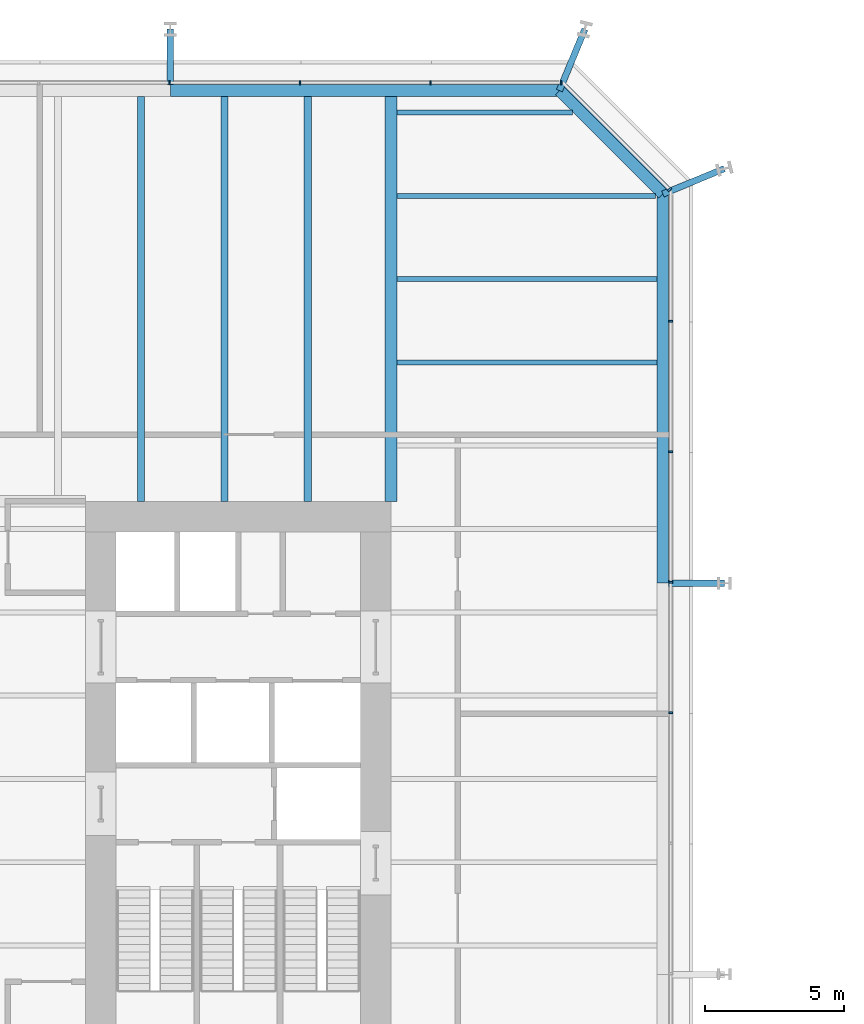
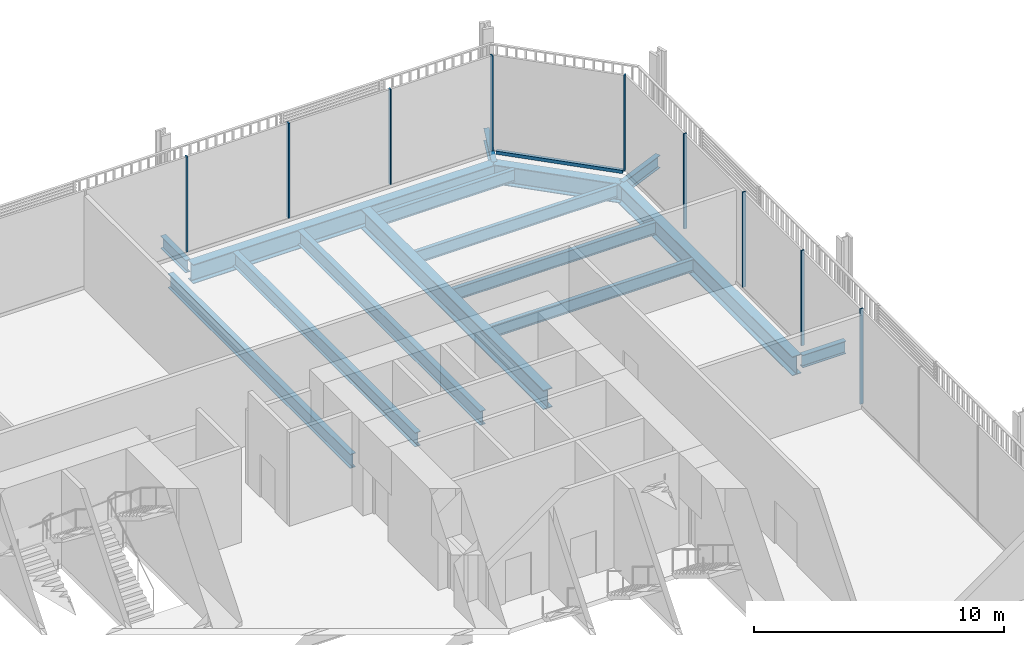
# One storey, part 13 of 21: 15 beams, 10 members, 3 elements without a shape of their own.
"""IFC4 building model written with IfcOpenShell, lengths in metres."""

from ifc_helpers import new_model, si_unit, direction, frame, origin, origin_2d, place, context, subcontext, project, spatial, rectangle, i_section, extrude, material, layer, layer_set, material_profile, profile_set, type_object, element, aggregate, save


model = new_model("IFC4")

# Units and contexts
model_context = context("Model", 3, precision=1e-05, world=origin(), true_north=direction((0.0, 1.0)))
body_context = subcontext(model_context, "Body", "Model", "MODEL_VIEW")
ifc_project = project(units=[si_unit("LENGTHUNIT", "METRE"), si_unit("AREAUNIT", "SQUARE_METRE"), si_unit("VOLUMEUNIT", "CUBIC_METRE"), si_unit("PLANEANGLEUNIT", "RADIAN"), si_unit("MASSUNIT", "GRAM", prefix="KILO")], contexts=[model_context])

# Site, building, storey
site_placement = place(None, origin())
site = spatial("IfcSite", under=ifc_project, at=site_placement, CompositionType="ELEMENT")
building_placement = place(site_placement, origin())
building = spatial("IfcBuilding", under=site, at=building_placement, Name="Millrace Tower", CompositionType="ELEMENT")
storey_placement = place(building_placement, frame((0.0, 0.0, 16.10009765625)))
storey = spatial("IfcBuildingStorey", under=building, at=storey_placement, Name="L04", CompositionType="ELEMENT", Elevation=16.10009765625)

# Curtain wall, members
ifc_material_1 = material(Name="Aluminium and glass", Category="aluminium")
ifc_layer = layer(ifc_material_1, 0.14990234375)
ifc_layer_set = layer_set([ifc_layer], Name="Aluminium and glass")
curtain_wall_type = type_object("IfcCurtainWallType", Name="CW-2 data hall insulated curtain wall", PredefinedType="NOTDEFINED", material=ifc_layer_set)
placement = place(storey_placement, origin())
curtain_wall_1 = element("IfcCurtainWall", 1, at=placement, inside=storey, type_object=curtain_wall_type, Name="Curtain wall A-F04 L04", PredefinedType="NOTDEFINED")
ifc_material_2 = material(Name="Aluminium", Category="aluminium")
ifc_material_profile_1 = material_profile(ifc_material_2, rectangle(XDim=0.06494140625, YDim=0.14990234375, at=origin_2d()))
ifc_profile_set_1 = profile_set([ifc_material_profile_1], Name="Aluminium")
member_type_1 = type_object("IfcMemberType", Name="CW-2 data hall insulated curtain wall mullion", PredefinedType="MULLION", material=ifc_profile_set_1)
member_1_placement = place(storey_placement, frame((25.074951171875, 2.382568359375, 0.159912109375), z_axis=(0.0, 0.0, 1.0), x_axis=(0.0, 1.0, 0.0)))
member_1 = element("IfcMember", 2, at=member_1_placement, type_object=member_type_1, Name="CW2 mullion A-F04.6", PredefinedType="MULLION", context=body_context, shape_type="SweptSolid", body=[
    extrude(rectangle(XDim=0.06494140625, YDim=0.14990234375, at=origin_2d()), origin(), (0.0, 0.0, 1.0), 4.639892578125),
])
member_2_placement = place(storey_placement, frame((25.074951171875, 7.08251953125, 0.159912109375), z_axis=(0.0, 0.0, 1.0), x_axis=(0.0, 1.0, 0.0)))
member_2 = element("IfcMember", 3, at=member_2_placement, type_object=member_type_1, Name="CW2 mullion A-F04.7", PredefinedType="MULLION", context=body_context, shape_type="SweptSolid", body=[
    extrude(rectangle(XDim=0.06494140625, YDim=0.14990234375, at=origin_2d()), origin(), (0.0, 0.0, 1.0), 4.639892578125),
])
member_3_placement = place(storey_placement, frame((25.074951171875, 11.782470703125, 0.159912109375), z_axis=(0.0, 0.0, 1.0), x_axis=(0.0, 1.0, 0.0)))
member_3 = element("IfcMember", 4, at=member_3_placement, type_object=member_type_1, Name="CW2 mullion A-F04.8", PredefinedType="MULLION", context=body_context, shape_type="SweptSolid", body=[
    extrude(rectangle(XDim=0.06494140625, YDim=0.14990234375, at=origin_2d()), origin(), (0.0, 0.0, 1.0), 4.639892578125),
])
member_4_placement = place(storey_placement, frame((25.074951171875, 16.482421875, 0.159912109375), z_axis=(0.0, 0.0, 1.0), x_axis=(0.0, 1.0, 0.0)))
member_4 = element("IfcMember", 5, at=member_4_placement, type_object=member_type_1, Name="CW2 mullion A-F04.9", PredefinedType="MULLION", context=body_context, shape_type="SweptSolid", body=[
    extrude(rectangle(XDim=0.06494140625, YDim=0.14990234375, at=origin_2d()), origin(), (0.0, 0.0, 1.0), 4.639892578125),
])
aggregate(curtain_wall_1, [member_1, member_2, member_3, member_4])

# Curtain wall, member
curtain_wall_2 = element("IfcCurtainWall", 6, at=placement, inside=storey, type_object=curtain_wall_type, Name="Curtain wall A-F05 L04", PredefinedType="NOTDEFINED")
member_5_placement = place(storey_placement, frame((25.030029296875, 21.22607421875, 0.159912109375), z_axis=(0.0, 0.0, 1.0), x_axis=(-0.707106781187, 0.707106781187, 0.0)))
member_5 = element("IfcMember", 7, at=member_5_placement, type_object=member_type_1, Name="CW2 mullion A-F05.1", PredefinedType="MULLION", context=body_context, shape_type="SweptSolid", body=[
    extrude(rectangle(XDim=0.06494140625, YDim=0.14990234375, at=origin_2d()), origin(), (0.0, 0.0, 1.0), 4.639892578125),
])

# Curtain wall, members
curtain_wall_3 = element("IfcCurtainWall", 8, at=placement, inside=storey, type_object=curtain_wall_type, Name="Curtain wall A-F06 L04", PredefinedType="NOTDEFINED")
member_6_placement = place(storey_placement, frame((21.117431640625, 25.074951171875, 0.159912109375), z_axis=(0.0, 0.0, 1.0), x_axis=(-1.0, 0.0, 0.0)))
member_6 = element("IfcMember", 9, at=member_6_placement, type_object=member_type_1, Name="CW2 mullion A-F06.1", PredefinedType="MULLION", context=body_context, shape_type="SweptSolid", body=[
    extrude(rectangle(XDim=0.06494140625, YDim=0.14990234375, at=origin_2d()), origin(), (0.0, 0.0, 1.0), 4.639892578125),
])
member_7_placement = place(storey_placement, frame((16.41748046875, 25.074951171875, 0.159912109375), z_axis=(0.0, 0.0, 1.0), x_axis=(-1.0, 0.0, 0.0)))
member_7 = element("IfcMember", 10, at=member_7_placement, type_object=member_type_1, Name="CW2 mullion A-F06.2", PredefinedType="MULLION", context=body_context, shape_type="SweptSolid", body=[
    extrude(rectangle(XDim=0.06494140625, YDim=0.14990234375, at=origin_2d()), origin(), (0.0, 0.0, 1.0), 4.639892578125),
])
member_8_placement = place(storey_placement, frame((11.717529296875, 25.074951171875, 0.159912109375), z_axis=(0.0, 0.0, 1.0), x_axis=(-1.0, 0.0, 0.0)))
member_8 = element("IfcMember", 11, at=member_8_placement, type_object=member_type_1, Name="CW2 mullion A-F06.3", PredefinedType="MULLION", context=body_context, shape_type="SweptSolid", body=[
    extrude(rectangle(XDim=0.06494140625, YDim=0.14990234375, at=origin_2d()), origin(), (0.0, 0.0, 1.0), 4.639892578125),
])
member_9_placement = place(storey_placement, frame((7.017578125, 25.074951171875, 0.159912109375), z_axis=(0.0, 0.0, 1.0), x_axis=(-1.0, 0.0, 0.0)))
member_9 = element("IfcMember", 12, at=member_9_placement, type_object=member_type_1, Name="CW2 mullion A-F06.4", PredefinedType="MULLION", context=body_context, shape_type="SweptSolid", body=[
    extrude(rectangle(XDim=0.06494140625, YDim=0.14990234375, at=origin_2d()), origin(), (0.0, 0.0, 1.0), 4.639892578125),
])
aggregate(curtain_wall_3, [member_6, member_7, member_8, member_9])

# Member
ifc_material_3 = material(Name="Aluminium", Category="aluminium")
ifc_material_profile_2 = material_profile(ifc_material_3, rectangle(XDim=0.14990234375, YDim=0.159912109375, at=origin_2d()))
ifc_profile_set_2 = profile_set([ifc_material_profile_2], Name="Aluminium")
member_type_2 = type_object("IfcMemberType", Name="CW-2 data hall insulated curtain wall transom", PredefinedType="USERDEFINED", material=ifc_profile_set_2)
member_10_placement = place(storey_placement, frame((24.982421875, 21.273681640625, 0.079833984375), z_axis=(-0.707106781187, 0.707106781187, 0.0), x_axis=(-0.707106781187, -0.707106781187, 0.0)))
member_10 = element("IfcMember", 13, at=member_10_placement, type_object=member_type_2, Name="CW2 transom A-F05.1", ObjectType="TRANSOM", PredefinedType="USERDEFINED", context=body_context, shape_type="SweptSolid", body=[
    extrude(rectangle(XDim=0.14990234375, YDim=0.159912109375, at=origin_2d()), origin(), (0.0, 0.0, 1.0), 5.244873046875),
])

aggregate(curtain_wall_2, [member_5, member_10])

# Beams
ifc_material_4 = material(Name="Steel ASTM A992 Grade 50", Category="steel")
ifc_material_profile_3 = material_profile(ifc_material_4, i_section(OverallWidth=0.177978515625, OverallDepth=0.599365234375, WebThickness=0.010009765625, FlangeThickness=0.012939453125, FilletRadius=0.012939453125, at=origin_2d()))
ifc_profile_set_3 = profile_set([ifc_material_profile_3], Name="Steel ASTM A992 Grade 50")
beam_type_1 = type_object("IfcBeamType", Name="Floor beam W24x55", PredefinedType="JOIST", material=ifc_profile_set_3)
beam_1_placement = place(storey_placement, frame((15.212158203125, 24.0, -0.52490234375), z_axis=(1.0, 0.0, 0.0), x_axis=(0.0, 1.0, 0.0)))
element("IfcBeam", 14, at=beam_1_placement, inside=storey, type_object=beam_type_1, Name="BM-A-L04-S1-S041", PredefinedType="JOIST", context=body_context, shape_type="SweptSolid", body=[
    extrude(i_section(OverallWidth=0.177978515625, OverallDepth=0.599365234375, WebThickness=0.010009765625, FlangeThickness=0.012939453125, FilletRadius=0.012939453125, at=origin_2d()), origin(), (0.0, 0.0, 1.0), 6.317626953125),
])
ifc_material_5 = material(Name="Steel ASTM A992 Grade 50", Category="steel")
ifc_material_profile_4 = material_profile(ifc_material_5, i_section(OverallWidth=0.1787109375, OverallDepth=0.60205078125, WebThickness=0.010986328125, FlangeThickness=0.014892578125, FilletRadius=0.0126953125, at=origin_2d()))
ifc_profile_set_4 = profile_set([ifc_material_profile_4], Name="Steel ASTM A992 Grade 50")
beam_type_2 = type_object("IfcBeamType", Name="Floor beam W24x62", PredefinedType="JOIST", material=ifc_profile_set_4)
for number, where, z_axis, x_axis, name in (
    (15, (15.212158203125, 15.0, -0.526123046875), (1.0, 0.0, 0.0), (0.0, 1.0, 0.0), "BM-A-L04-S1-S035"),
    (16, (15.212158203125, 18.0, -0.526123046875), (1.0, 0.0, 0.0), (0.0, 1.0, 0.0), "BM-A-L04-S1-S037"),
):
    element("IfcBeam", number, at=place(storey_placement, frame(where, z_axis=z_axis, x_axis=x_axis)), inside=storey, type_object=beam_type_2, Name=name, PredefinedType="JOIST", context=body_context, shape_type="SweptSolid", body=[
        extrude(i_section(OverallWidth=0.1787109375, OverallDepth=0.60205078125, WebThickness=0.010986328125, FlangeThickness=0.014892578125, FilletRadius=0.0126953125, at=origin_2d()), origin(), (0.0, 0.0, 1.0), 9.3662109375),
    ])
beam_2_placement = place(storey_placement, frame((15.212158203125, 21.0, -0.526123046875), z_axis=(1.0, 0.0, 0.0), x_axis=(0.0, 1.0, 0.0)))
element("IfcBeam", 17, at=beam_2_placement, inside=storey, type_object=beam_type_2, Name="BM-A-L04-S1-S039", PredefinedType="JOIST", context=body_context, shape_type="SweptSolid", body=[
    extrude(i_section(OverallWidth=0.1787109375, OverallDepth=0.60205078125, WebThickness=0.010986328125, FlangeThickness=0.014892578125, FilletRadius=0.0126953125, at=origin_2d()), origin(), (0.0, 0.0, 1.0), 9.317626953125),
])
ifc_material_6 = material(Name="Steel ASTM A992 Grade 50", Category="steel")
ifc_material_profile_5 = material_profile(ifc_material_6, i_section(OverallWidth=0.256591796875, OverallDepth=0.693359375, WebThickness=0.014404296875, FlangeThickness=0.023681640625, FilletRadius=0.01513671875, at=origin_2d()))
ifc_profile_set_5 = profile_set([ifc_material_profile_5], Name="Steel ASTM A992 Grade 50")
beam_type_3 = type_object("IfcBeamType", Name="Floor beam W27x114", PredefinedType="JOIST", material=ifc_profile_set_5)
for number, where, z_axis, x_axis, name in (
    (18, (6.0, 10.0, -0.57177734375), (0.0, 1.0, 0.0), (-1.0, 0.0, 0.0), "BM-A-L04-S1-S054"),
    (19, (9.0, 10.0, -0.57177734375), (0.0, 1.0, 0.0), (-1.0, 0.0, 0.0), "BM-A-L04-S1-S056"),
    (20, (12.0, 10.0, -0.57177734375), (0.0, 1.0, 0.0), (-1.0, 0.0, 0.0), "BM-A-L04-S1-S058"),
):
    element("IfcBeam", number, at=place(storey_placement, frame(where, z_axis=z_axis, x_axis=x_axis)), inside=storey, type_object=beam_type_3, Name=name, PredefinedType="JOIST", context=body_context, shape_type="SweptSolid", body=[
        extrude(i_section(OverallWidth=0.256591796875, OverallDepth=0.693359375, WebThickness=0.014404296875, FlangeThickness=0.023681640625, FilletRadius=0.01513671875, at=origin_2d()), origin(), (0.0, 0.0, 1.0), 14.578369140625),
    ])
ifc_material_7 = material(Name="Steel ASTM A992 Grade 50", Category="steel")
ifc_material_profile_6 = material_profile(ifc_material_7, i_section(OverallWidth=0.424072265625, OverallDepth=0.947509765625, WebThickness=0.02392578125, FlangeThickness=0.042724609375, FilletRadius=0.024169921875, at=origin_2d()))
ifc_profile_set_6 = profile_set([ifc_material_profile_6], Name="Steel ASTM A992 Grade 50")
beam_type_4 = type_object("IfcBeamType", Name="Girder medium span W36x302", PredefinedType="BEAM", material=ifc_profile_set_6)
beam_3_placement = place(storey_placement, frame((15.0, 10.0, -0.69873046875), z_axis=(0.0, 1.0, 0.0), x_axis=(-1.0, 0.0, 0.0)))
element("IfcBeam", 21, at=beam_3_placement, inside=storey, type_object=beam_type_4, Name="BM-A-L04-S1-G062", PredefinedType="BEAM", context=body_context, shape_type="SweptSolid", body=[
    extrude(i_section(OverallWidth=0.424072265625, OverallDepth=0.947509765625, WebThickness=0.02392578125, FlangeThickness=0.042724609375, FilletRadius=0.024169921875, at=origin_2d()), origin(), (0.0, 0.0, 1.0), 14.578369140625),
])
ifc_material_8 = material(Name="Steel ASTM A992 Grade 50", Category="steel")
ifc_material_profile_7 = material_profile(ifc_material_8, i_section(OverallWidth=0.23046875, OverallDepth=0.6171875, WebThickness=0.01318359375, FlangeThickness=0.022216796875, FilletRadius=0.012939453125, at=origin_2d()))
ifc_profile_set_7 = profile_set([ifc_material_profile_7], Name="Steel ASTM A992 Grade 50")
beam_type_5 = type_object("IfcBeamType", Name="Link beam W24x94", PredefinedType="BEAM", material=ifc_profile_set_7)
beam_4_placement = place(storey_placement, frame((7.050048828125, 25.0, -0.53369140625), z_axis=(0.0, 1.0, 0.0), x_axis=(-1.0, 0.0, 0.0)))
element("IfcBeam", 22, at=beam_4_placement, inside=storey, type_object=beam_type_5, Name="LNK-A-L04-S1-07", PredefinedType="BEAM", context=body_context, shape_type="SweptSolid", body=[
    extrude(i_section(OverallWidth=0.23046875, OverallDepth=0.6171875, WebThickness=0.01318359375, FlangeThickness=0.022216796875, FilletRadius=0.012939453125, at=origin_2d()), origin(), (0.0, 0.0, 1.0), 2.0),
])
for number, where, z_axis, x_axis, name in (
    (23, (21.062744140625, 24.7890625, -0.53369140625), (0.382673155247, 0.923883789366, 0.0), (-0.923883789366, 0.382673155247, 0.0), "LNK-A-L04-S1-08"),
    (24, (24.7890625, 21.062744140625, -0.53369140625), (0.923883789366, 0.382673155247, 0.0), (-0.382673155247, 0.923883789366, 0.0), "LNK-A-L04-S1-09"),
):
    element("IfcBeam", number, at=place(storey_placement, frame(where, z_axis=z_axis, x_axis=x_axis)), inside=storey, type_object=beam_type_5, Name=name, PredefinedType="BEAM", context=body_context, shape_type="SweptSolid", body=[
        extrude(i_section(OverallWidth=0.23046875, OverallDepth=0.6171875, WebThickness=0.01318359375, FlangeThickness=0.022216796875, FilletRadius=0.012939453125, at=origin_2d()), origin(), (0.0, 0.0, 1.0), 2.39306640625),
    ])
beam_5_placement = place(storey_placement, frame((25.0, 7.050048828125, -0.53369140625), z_axis=(1.0, 0.0, 0.0), x_axis=(0.0, 1.0, 0.0)))
element("IfcBeam", 25, at=beam_5_placement, inside=storey, type_object=beam_type_5, Name="LNK-A-L04-S1-10", PredefinedType="BEAM", context=body_context, shape_type="SweptSolid", body=[
    extrude(i_section(OverallWidth=0.23046875, OverallDepth=0.6171875, WebThickness=0.01318359375, FlangeThickness=0.022216796875, FilletRadius=0.012939453125, at=origin_2d()), origin(), (0.0, 0.0, 1.0), 2.0),
])
ifc_material_9 = material(Name="Steel ASTM A992 Grade 50", Category="steel")
ifc_material_profile_8 = material_profile(ifc_material_9, i_section(OverallWidth=0.421630859375, OverallDepth=0.937255859375, WebThickness=0.021240234375, FlangeThickness=0.03662109375, FilletRadius=0.024169921875, at=origin_2d()))
ifc_profile_set_8 = profile_set([ifc_material_profile_8], Name="Steel ASTM A992 Grade 50")
beam_type_6 = type_object("IfcBeamType", Name="Ring beam medium span W36x262", PredefinedType="SPANDREL", material=ifc_profile_set_8)
for number, where, z_axis, x_axis, name in (
    (26, (7.050048828125, 24.7890625, -0.69384765625), (1.0, 0.0, 0.0), (0.0, 1.0, 0.0), "RNG-A-L04-S1-07"),
    (27, (24.7890625, 21.062744140625, -0.69384765625), (0.0, -1.0, 0.0), (1.0, 0.0, 0.0), "RNG-A-L04-S1-09"),
):
    element("IfcBeam", number, at=place(storey_placement, frame(where, z_axis=z_axis, x_axis=x_axis)), inside=storey, type_object=beam_type_6, Name=name, PredefinedType="SPANDREL", context=body_context, shape_type="SweptSolid", body=[
        extrude(i_section(OverallWidth=0.421630859375, OverallDepth=0.937255859375, WebThickness=0.021240234375, FlangeThickness=0.03662109375, FilletRadius=0.024169921875, at=origin_2d()), origin(), (0.0, 0.0, 1.0), 14.0126953125),
    ])
ifc_material_10 = material(Name="Steel ASTM A992 Grade 50", Category="steel")
ifc_material_profile_9 = material_profile(ifc_material_10, i_section(OverallWidth=0.421630859375, OverallDepth=0.937255859375, WebThickness=0.021240234375, FlangeThickness=0.03662109375, FilletRadius=0.024169921875, at=origin_2d()))
ifc_profile_set_9 = profile_set([ifc_material_profile_9], Name="Steel ASTM A992 Grade 50")
beam_type_7 = type_object("IfcBeamType", Name="Ring beam short span W36x262", PredefinedType="SPANDREL", material=ifc_profile_set_9)
beam_6_placement = place(storey_placement, frame((21.062744140625, 24.7890625, -0.69384765625), z_axis=(0.707106781187, -0.707106781187, 0.0), x_axis=(0.707106781187, 0.707106781187, 0.0)))
element("IfcBeam", 28, at=beam_6_placement, inside=storey, type_object=beam_type_7, Name="RNG-A-L04-S1-08", PredefinedType="SPANDREL", context=body_context, shape_type="SweptSolid", body=[
    extrude(i_section(OverallWidth=0.421630859375, OverallDepth=0.937255859375, WebThickness=0.021240234375, FlangeThickness=0.03662109375, FilletRadius=0.024169921875, at=origin_2d()), origin(), (0.0, 0.0, 1.0), 5.269775390625),
])

save(model, "model.ifc")
